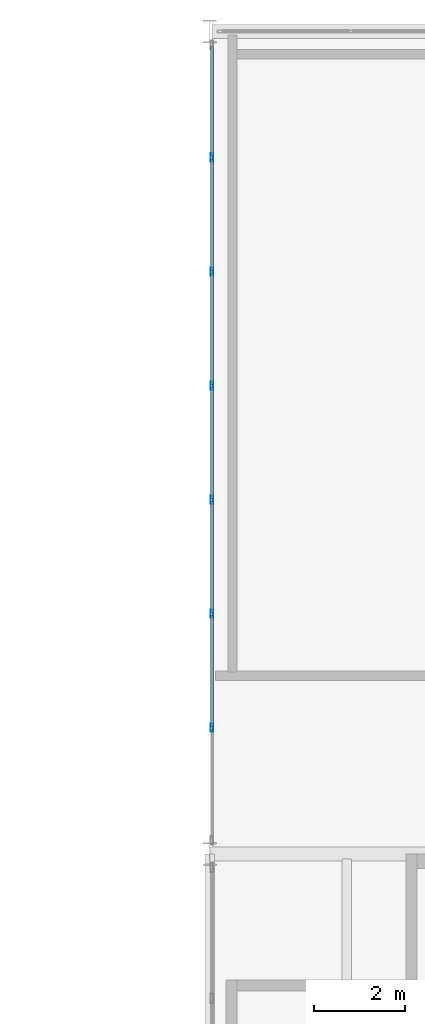
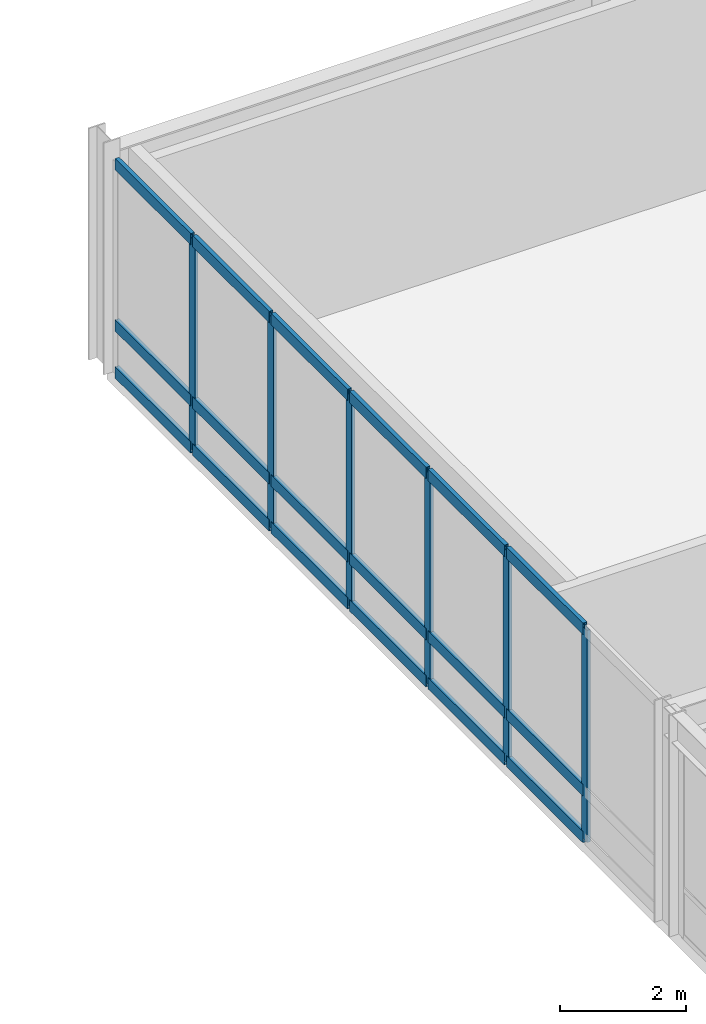
# One storey, part 24 of 67: 24 members, 1 element without a shape of its own.
"""IFC4 building model written with IfcOpenShell, lengths in metres."""

import ifcopenshell
import ifcopenshell.guid

model = None  # the IFC model being written
_history = None  # IfcOwnerHistory: only IFC2X3 demands one
_inside = {}  # id of a spatial element -> (the spatial element, [elements in it])
_under = {}  # id of a project, library or spatial element -> (it, [spatial elements below it])
_declared = {}  # id of a project -> (the project, [libraries it declares])
_typed = {}  # id of a type object -> (the type object, [elements of that type])
_made_of = {}  # id of a material, layer set ... -> (it, [elements and type objects made of it])


def new_model(schema):
    """Start an empty IFC model of exactly this schema.

    Asked for "IFC4X3", IfcOpenShell would pick the latest addendum, in which some entities
    have other attributes; the version numbers below select the first issue.
    IFC2X3 requires an IfcOwnerHistory on every rooted entity: one is made here for all.
    """
    global model, _history
    if schema == "IFC4X3":
        model = ifcopenshell.file(schema_version=(4, 3, 0, 0))
    else:
        model = ifcopenshell.file(schema=schema)
    _inside.clear()
    _under.clear()
    _declared.clear()
    _typed.clear()
    _made_of.clear()
    _history = None
    if model.schema == "IFC2X3":
        org = make("IfcOrganization", Name="unknown")
        user = make(
            "IfcPersonAndOrganization",
            ThePerson=make("IfcPerson", FamilyName="unknown"),
            TheOrganization=org,
        )
        app = make(
            "IfcApplication",
            ApplicationDeveloper=org,
            Version="unknown",
            ApplicationFullName="unknown",
            ApplicationIdentifier="unknown",
        )
        _history = make(
            "IfcOwnerHistory",
            OwningUser=user,
            OwningApplication=app,
            ChangeAction="ADDED",
            CreationDate=0,
        )
    return model


def make(cls, **values):
    """One entity of the class cls with the attributes given. An attribute that is None is left unset."""
    return model.create_entity(
        cls, **{name: value for name, value in values.items() if value is not None}
    )


def rooted(cls, **values):
    """An entity with a GlobalId (a new one), such as an element, a storey or a relation."""
    return make(cls, GlobalId=ifcopenshell.guid.new(), OwnerHistory=_history, **values)


def si_unit(unit_type, name, prefix=None):
    """IfcSIUnit, for example si_unit("LENGTHUNIT", "METRE", prefix="MILLI")."""
    return make("IfcSIUnit", UnitType=unit_type, Prefix=prefix, Name=name)


def assignment(units):
    """IfcUnitAssignment: the units of a project."""
    return None if units is None else make("IfcUnitAssignment", Units=units)


def point(xyz):
    """IfcCartesianPoint."""
    return None if xyz is None else make("IfcCartesianPoint", Coordinates=xyz)


def direction(xyz):
    """IfcDirection."""
    return None if xyz is None else make("IfcDirection", DirectionRatios=xyz)


def frame(location, z_axis=None, x_axis=None):
    """IfcAxis2Placement3D, a coordinate frame: its origin and axes. An axis left out is left unset."""
    return make(
        "IfcAxis2Placement3D",
        Location=point(location),
        Axis=direction(z_axis),
        RefDirection=direction(x_axis),
    )


def frame_2d(location, x_axis=None):
    """IfcAxis2Placement2D, a coordinate frame in the plane: its origin and x axis."""
    return make(
        "IfcAxis2Placement2D", Location=point(location), RefDirection=direction(x_axis)
    )


def origin():
    """The frame at (0, 0, 0) with its axes left unset."""
    return frame((0.0, 0.0, 0.0))


def origin_2d():
    """The frame at (0, 0) in the plane with its x axis left unset."""
    return frame_2d((0.0, 0.0))


def place(relative_to, where):
    """IfcLocalPlacement: puts the frame where relative to a parent placement (None: the world)."""
    return make(
        "IfcLocalPlacement", PlacementRelTo=relative_to, RelativePlacement=where
    )


def context(
    kind, dimensions, precision=None, world=None, true_north=None, identifier=None
):
    """IfcGeometricRepresentationContext, for example the 3D "Model" context."""
    return make(
        "IfcGeometricRepresentationContext",
        ContextIdentifier=identifier,
        ContextType=kind,
        CoordinateSpaceDimension=dimensions,
        Precision=precision,
        WorldCoordinateSystem=world,
        TrueNorth=true_north,
    )


def subcontext(parent, identifier, kind, view, scale=None):
    """IfcGeometricRepresentationSubContext, for example "Body" below "Model"."""
    return make(
        "IfcGeometricRepresentationSubContext",
        ContextIdentifier=identifier,
        ContextType=kind,
        ParentContext=parent,
        TargetScale=scale,
        TargetView=view,
    )


def project(units=None, contexts=None):
    """IfcProject with its units and contexts."""
    return rooted(
        "IfcProject",
        Name="project",
        RepresentationContexts=contexts,
        UnitsInContext=assignment(units),
    )


def spatial(cls, under=None, at=None, **own):
    """A site, building, storey or space (cls), placed at a placement, below another one or the project."""
    s = rooted(cls, ObjectPlacement=at, **own)
    if under is not None:
        _under.setdefault(under.id(), (under, []))[1].append(s)
    return s


def profile(cls, at=None, kind="AREA", **sizes):
    """A parametric profile (cls). Its sizes go by their IFC names, for example OverallWidth=200.0."""
    return make(cls, ProfileType=kind, Position=at, **sizes)


def hollow_rectangle(**sizes):
    """IfcRectangleHollowProfileDef."""
    return profile("IfcRectangleHollowProfileDef", **sizes)


def extrude(swept, where, along, depth):
    """IfcExtrudedAreaSolid: the profile swept, set in the frame where, extruded along a direction by depth."""
    return make(
        "IfcExtrudedAreaSolid",
        SweptArea=swept,
        Position=where,
        ExtrudedDirection=direction(along),
        Depth=depth,
    )


def shape(context_of_items, identifier, shape_type, items):
    """IfcShapeRepresentation: the items that make up one representation, for example the "Body"."""
    return make(
        "IfcShapeRepresentation",
        ContextOfItems=context_of_items,
        RepresentationIdentifier=identifier,
        RepresentationType=shape_type,
        Items=items,
    )


def material(Name=None, Category=None):
    """IfcMaterial."""
    return make("IfcMaterial", Name=Name, Category=Category)


def layer(
    of_material, thickness, ventilated=None, Name=None, Category=None, Priority=None
):
    """IfcMaterialLayer: one layer of a wall or slab, of a material (None: an air gap)."""
    return make(
        "IfcMaterialLayer",
        Material=of_material,
        LayerThickness=thickness,
        IsVentilated=ventilated,
        Name=Name,
        Category=Category,
        Priority=Priority,
    )


def layer_set(layers, Name=None):
    """IfcMaterialLayerSet."""
    return make("IfcMaterialLayerSet", MaterialLayers=layers, LayerSetName=Name)


def material_profile(
    of_material, cross_section, Name=None, Category=None, Priority=None
):
    """IfcMaterialProfile: a cross section and its material."""
    return make(
        "IfcMaterialProfile",
        Name=Name,
        Material=of_material,
        Profile=cross_section,
        Priority=Priority,
        Category=Category,
    )


def profile_set(profiles, Name=None, composite=None):
    """IfcMaterialProfileSet."""
    return make(
        "IfcMaterialProfileSet",
        Name=Name,
        MaterialProfiles=profiles,
        CompositeProfile=composite,
    )


def made_of(thing, what):
    """Note that an element or type object is made of a material, layer set ...; save() writes the relation."""
    if what is not None:
        _made_of.setdefault(what.id(), (what, []))[1].append(thing)
    return thing


def type_object(cls, material=None, **own):
    """A type object (cls), such as IfcWallType, which elements share."""
    return made_of(rooted(cls, **own), material)


def element(
    cls,
    number,
    at=None,
    inside=None,
    cuts=None,
    type_object=None,
    material=None,
    context=None,
    identifier="Body",
    shape_type=None,
    held_by="IfcProductDefinitionShape",
    body=None,
    shapes=None,
    **own,
):
    """One element of the class cls, such as IfcWall. Its Tag is "e" and its number.

    at: its placement. inside: the storey or other place that contains it. cuts: it is an
    opening in that element (IfcRelVoidsElement). A single representation is given by context,
    identifier, shape_type and body (its items); several are given by shapes. held_by: the class
    of the entity that holds the representations. save() writes the other relations.
    """
    e = rooted(cls, Tag="e%d" % number, ObjectPlacement=at, **own)
    if body is not None:
        shapes = [shape(context, identifier, shape_type, body)]
    if shapes is not None:
        e.Representation = make(held_by, Representations=shapes)
    if inside is not None:
        _inside.setdefault(inside.id(), (inside, []))[1].append(e)
    if cuts is not None:
        rooted(
            "IfcRelVoidsElement", RelatingBuildingElement=cuts, RelatedOpeningElement=e
        )
    if type_object is not None:
        _typed.setdefault(type_object.id(), (type_object, []))[1].append(e)
    return made_of(e, material)


def aggregate(whole, parts):
    """IfcRelAggregates: a whole, such as a stair, and the parts it consists of."""
    return rooted("IfcRelAggregates", RelatingObject=whole, RelatedObjects=parts)


def save(model, path):
    """Write the relations noted so far, then the file.

    IfcRelAggregates (storeys below a building ...), IfcRelContainedInSpatialStructure (elements
    in a storey), IfcRelDefinesByType, IfcRelAssociatesMaterial and IfcRelDeclares: one each for
    every whole, place, type object, material and project.
    """
    for whole, parts in _under.values():
        aggregate(whole, parts)
    for where, things in _inside.values():
        rooted(
            "IfcRelContainedInSpatialStructure",
            RelatedElements=things,
            RelatingStructure=where,
        )
    for kind, things in _typed.values():
        rooted("IfcRelDefinesByType", RelatedObjects=things, RelatingType=kind)
    for what, things in _made_of.values():
        rooted("IfcRelAssociatesMaterial", RelatedObjects=things, RelatingMaterial=what)
    for by, libraries in _declared.values():
        rooted("IfcRelDeclares", RelatingContext=by, RelatedDefinitions=libraries)
    model.write(path)


model = new_model("IFC4")

# Units and contexts
model_context = context("Model", 3, precision=1e-05, world=origin(), true_north=direction((0.0, 1.0)))
body_context = subcontext(model_context, "Body", "Model", "MODEL_VIEW")
ifc_project = project(units=[si_unit("LENGTHUNIT", "METRE"), si_unit("AREAUNIT", "SQUARE_METRE"), si_unit("VOLUMEUNIT", "CUBIC_METRE"), si_unit("PLANEANGLEUNIT", "RADIAN"), si_unit("MASSUNIT", "GRAM", prefix="KILO")], contexts=[model_context])

# Site, building, storey
site_placement = place(None, origin())
site = spatial("IfcSite", under=ifc_project, at=site_placement, CompositionType="ELEMENT")
building_placement = place(site_placement, origin())
building = spatial("IfcBuilding", under=site, at=building_placement, Name="Montelvaro Courts of Justice", CompositionType="ELEMENT")
storey_placement = place(building_placement, frame((0.0, 0.0, 18.89990234375)))
storey = spatial("IfcBuildingStorey", under=building, at=storey_placement, Name="L04", CompositionType="ELEMENT", Elevation=18.89990234375)

# Curtain wall, members
ifc_material = material(Name="Anodised aluminium EN AW-6063", Category="aluminium")
ifc_layer = layer(ifc_material, 0.159912109375)
ifc_layer_set = layer_set([ifc_layer], Name="Anodised aluminium EN AW-6063")
curtain_wall_type = type_object("IfcCurtainWallType", Name="CurtainWall_33_1747x418", PredefinedType="USERDEFINED", material=ifc_layer_set)
curtain_wall_placement = place(storey_placement, origin())
curtain_wall = element("IfcCurtainWall", 1, at=curtain_wall_placement, inside=storey, type_object=curtain_wall_type, Name="Curtain Wall CW-33 (L04)", ObjectType="CURTAIN WALL", PredefinedType="USERDEFINED")
ifc_material_profile_1 = material_profile(ifc_material, hollow_rectangle(XDim=0.06005859375, YDim=0.179931640625, WallThickness=0.00439453125, at=origin_2d()), Name="ALU-M 60x180")
ifc_profile_set_1 = profile_set([ifc_material_profile_1], Name="Anodised aluminium EN AW-6063")
member_type_1 = type_object("IfcMemberType", Name="CurtainWall_Mullion_60x180", PredefinedType="MULLION", material=ifc_profile_set_1)
member_1_placement = place(storey_placement, frame((99.050048828125, 93.2392578125, 0.0), z_axis=(0.0, 0.0, 1.0), x_axis=(1.0, 0.0, 0.0)))
member_1 = element("IfcMember", 2, at=member_1_placement, type_object=member_type_1, Name="CW-33 mullion 2", PredefinedType="MULLION", context=body_context, shape_type="SweptSolid", body=[
    extrude(hollow_rectangle(XDim=0.06005859375, YDim=0.179931640625, WallThickness=0.00439453125, at=origin_2d()), origin(), (0.0, 0.0, 1.0), 4.1201171875),
])
member_2_placement = place(storey_placement, frame((99.050048828125, 90.74365234375, 0.0), z_axis=(0.0, 0.0, 1.0), x_axis=(1.0, 0.0, 0.0)))
member_2 = element("IfcMember", 3, at=member_2_placement, type_object=member_type_1, Name="CW-33 mullion 3", PredefinedType="MULLION", context=body_context, shape_type="SweptSolid", body=[
    extrude(hollow_rectangle(XDim=0.06005859375, YDim=0.179931640625, WallThickness=0.00439453125, at=origin_2d()), origin(), (0.0, 0.0, 1.0), 4.1201171875),
])
member_3_placement = place(storey_placement, frame((99.050048828125, 88.247802734375, 0.0), z_axis=(0.0, 0.0, 1.0), x_axis=(1.0, 0.0, 0.0)))
member_3 = element("IfcMember", 4, at=member_3_placement, type_object=member_type_1, Name="CW-33 mullion 4", PredefinedType="MULLION", context=body_context, shape_type="SweptSolid", body=[
    extrude(hollow_rectangle(XDim=0.06005859375, YDim=0.179931640625, WallThickness=0.00439453125, at=origin_2d()), origin(), (0.0, 0.0, 1.0), 4.1201171875),
])
member_4_placement = place(storey_placement, frame((99.050048828125, 85.752197265625, 0.0), z_axis=(0.0, 0.0, 1.0), x_axis=(1.0, 0.0, 0.0)))
member_4 = element("IfcMember", 5, at=member_4_placement, type_object=member_type_1, Name="CW-33 mullion 5", PredefinedType="MULLION", context=body_context, shape_type="SweptSolid", body=[
    extrude(hollow_rectangle(XDim=0.06005859375, YDim=0.179931640625, WallThickness=0.00439453125, at=origin_2d()), origin(), (0.0, 0.0, 1.0), 4.1201171875),
])
member_5_placement = place(storey_placement, frame((99.050048828125, 83.25634765625, 0.0), z_axis=(0.0, 0.0, 1.0), x_axis=(1.0, 0.0, 0.0)))
member_5 = element("IfcMember", 6, at=member_5_placement, type_object=member_type_1, Name="CW-33 mullion 6", PredefinedType="MULLION", context=body_context, shape_type="SweptSolid", body=[
    extrude(hollow_rectangle(XDim=0.06005859375, YDim=0.179931640625, WallThickness=0.00439453125, at=origin_2d()), origin(), (0.0, 0.0, 1.0), 4.1201171875),
])
member_6_placement = place(storey_placement, frame((99.050048828125, 80.7607421875, 0.0), z_axis=(0.0, 0.0, 1.0), x_axis=(1.0, 0.0, 0.0)))
member_6 = element("IfcMember", 7, at=member_6_placement, type_object=member_type_1, Name="CW-33 mullion 7", PredefinedType="MULLION", context=body_context, shape_type="SweptSolid", body=[
    extrude(hollow_rectangle(XDim=0.06005859375, YDim=0.179931640625, WallThickness=0.00439453125, at=origin_2d()), origin(), (0.0, 0.0, 1.0), 4.1201171875),
])
ifc_material_profile_2 = material_profile(ifc_material, hollow_rectangle(XDim=0.074951171875, YDim=0.219970703125, WallThickness=0.005615234375, at=origin_2d()), Name="ALU-T 75x220")
ifc_profile_set_2 = profile_set([ifc_material_profile_2], Name="Anodised aluminium EN AW-6063")
member_type_2 = type_object("IfcMemberType", Name="CurtainWall_Transom_75x220", PredefinedType="USERDEFINED", material=ifc_profile_set_2)
member_7_placement = place(storey_placement, frame((99.050048828125, 95.675048828125, 0.03759765625), z_axis=(0.0, -1.0, 0.0), x_axis=(1.0, 0.0, 0.0)))
member_7 = element("IfcMember", 8, at=member_7_placement, type_object=member_type_2, Name="CW-33 transom 1.1", ObjectType="TRANSOM", PredefinedType="USERDEFINED", context=body_context, shape_type="SweptSolid", body=[
    extrude(hollow_rectangle(XDim=0.074951171875, YDim=0.219970703125, WallThickness=0.005615234375, at=origin_2d()), origin(), (0.0, 0.0, 1.0), 2.40576171875),
])
member_8_placement = place(storey_placement, frame((99.050048828125, 95.675048828125, 0.9501953125), z_axis=(0.0, -1.0, 0.0), x_axis=(1.0, 0.0, 0.0)))
member_8 = element("IfcMember", 9, at=member_8_placement, type_object=member_type_2, Name="CW-33 transom 1.2", ObjectType="TRANSOM", PredefinedType="USERDEFINED", context=body_context, shape_type="SweptSolid", body=[
    extrude(hollow_rectangle(XDim=0.074951171875, YDim=0.219970703125, WallThickness=0.005615234375, at=origin_2d()), origin(), (0.0, 0.0, 1.0), 2.40576171875),
])
member_9_placement = place(storey_placement, frame((99.050048828125, 95.675048828125, 4.08251953125), z_axis=(0.0, -1.0, 0.0), x_axis=(1.0, 0.0, 0.0)))
member_9 = element("IfcMember", 10, at=member_9_placement, type_object=member_type_2, Name="CW-33 transom 1.3", ObjectType="TRANSOM", PredefinedType="USERDEFINED", context=body_context, shape_type="SweptSolid", body=[
    extrude(hollow_rectangle(XDim=0.074951171875, YDim=0.219970703125, WallThickness=0.005615234375, at=origin_2d()), origin(), (0.0, 0.0, 1.0), 2.40576171875),
])
member_10_placement = place(storey_placement, frame((99.050048828125, 93.209228515625, 0.03759765625), z_axis=(0.0, -1.0, 0.0), x_axis=(1.0, 0.0, 0.0)))
member_10 = element("IfcMember", 11, at=member_10_placement, type_object=member_type_2, Name="CW-33 transom 2.1", ObjectType="TRANSOM", PredefinedType="USERDEFINED", context=body_context, shape_type="SweptSolid", body=[
    extrude(hollow_rectangle(XDim=0.074951171875, YDim=0.219970703125, WallThickness=0.005615234375, at=origin_2d()), origin(), (0.0, 0.0, 1.0), 2.435546875),
])
member_11_placement = place(storey_placement, frame((99.050048828125, 93.209228515625, 0.9501953125), z_axis=(0.0, -1.0, 0.0), x_axis=(1.0, 0.0, 0.0)))
member_11 = element("IfcMember", 12, at=member_11_placement, type_object=member_type_2, Name="CW-33 transom 2.2", ObjectType="TRANSOM", PredefinedType="USERDEFINED", context=body_context, shape_type="SweptSolid", body=[
    extrude(hollow_rectangle(XDim=0.074951171875, YDim=0.219970703125, WallThickness=0.005615234375, at=origin_2d()), origin(), (0.0, 0.0, 1.0), 2.435546875),
])
member_12_placement = place(storey_placement, frame((99.050048828125, 93.209228515625, 4.08251953125), z_axis=(0.0, -1.0, 0.0), x_axis=(1.0, 0.0, 0.0)))
member_12 = element("IfcMember", 13, at=member_12_placement, type_object=member_type_2, Name="CW-33 transom 2.3", ObjectType="TRANSOM", PredefinedType="USERDEFINED", context=body_context, shape_type="SweptSolid", body=[
    extrude(hollow_rectangle(XDim=0.074951171875, YDim=0.219970703125, WallThickness=0.005615234375, at=origin_2d()), origin(), (0.0, 0.0, 1.0), 2.435546875),
])
member_13_placement = place(storey_placement, frame((99.050048828125, 90.713623046875, 0.03759765625), z_axis=(0.0, -1.0, 0.0), x_axis=(1.0, 0.0, 0.0)))
member_13 = element("IfcMember", 14, at=member_13_placement, type_object=member_type_2, Name="CW-33 transom 3.1", ObjectType="TRANSOM", PredefinedType="USERDEFINED", context=body_context, shape_type="SweptSolid", body=[
    extrude(hollow_rectangle(XDim=0.074951171875, YDim=0.219970703125, WallThickness=0.005615234375, at=origin_2d()), origin(), (0.0, 0.0, 1.0), 2.435791015625),
])
member_14_placement = place(storey_placement, frame((99.050048828125, 90.713623046875, 0.9501953125), z_axis=(0.0, -1.0, 0.0), x_axis=(1.0, 0.0, 0.0)))
member_14 = element("IfcMember", 15, at=member_14_placement, type_object=member_type_2, Name="CW-33 transom 3.2", ObjectType="TRANSOM", PredefinedType="USERDEFINED", context=body_context, shape_type="SweptSolid", body=[
    extrude(hollow_rectangle(XDim=0.074951171875, YDim=0.219970703125, WallThickness=0.005615234375, at=origin_2d()), origin(), (0.0, 0.0, 1.0), 2.435791015625),
])
member_15_placement = place(storey_placement, frame((99.050048828125, 90.713623046875, 4.08251953125), z_axis=(0.0, -1.0, 0.0), x_axis=(1.0, 0.0, 0.0)))
member_15 = element("IfcMember", 16, at=member_15_placement, type_object=member_type_2, Name="CW-33 transom 3.3", ObjectType="TRANSOM", PredefinedType="USERDEFINED", context=body_context, shape_type="SweptSolid", body=[
    extrude(hollow_rectangle(XDim=0.074951171875, YDim=0.219970703125, WallThickness=0.005615234375, at=origin_2d()), origin(), (0.0, 0.0, 1.0), 2.435791015625),
])
member_16_placement = place(storey_placement, frame((99.050048828125, 88.2177734375, 0.03759765625), z_axis=(0.0, -1.0, 0.0), x_axis=(1.0, 0.0, 0.0)))
member_16 = element("IfcMember", 17, at=member_16_placement, type_object=member_type_2, Name="CW-33 transom 4.1", ObjectType="TRANSOM", PredefinedType="USERDEFINED", context=body_context, shape_type="SweptSolid", body=[
    extrude(hollow_rectangle(XDim=0.074951171875, YDim=0.219970703125, WallThickness=0.005615234375, at=origin_2d()), origin(), (0.0, 0.0, 1.0), 2.435546875),
])
member_17_placement = place(storey_placement, frame((99.050048828125, 88.2177734375, 0.9501953125), z_axis=(0.0, -1.0, 0.0), x_axis=(1.0, 0.0, 0.0)))
member_17 = element("IfcMember", 18, at=member_17_placement, type_object=member_type_2, Name="CW-33 transom 4.2", ObjectType="TRANSOM", PredefinedType="USERDEFINED", context=body_context, shape_type="SweptSolid", body=[
    extrude(hollow_rectangle(XDim=0.074951171875, YDim=0.219970703125, WallThickness=0.005615234375, at=origin_2d()), origin(), (0.0, 0.0, 1.0), 2.435546875),
])
member_18_placement = place(storey_placement, frame((99.050048828125, 88.2177734375, 4.08251953125), z_axis=(0.0, -1.0, 0.0), x_axis=(1.0, 0.0, 0.0)))
member_18 = element("IfcMember", 19, at=member_18_placement, type_object=member_type_2, Name="CW-33 transom 4.3", ObjectType="TRANSOM", PredefinedType="USERDEFINED", context=body_context, shape_type="SweptSolid", body=[
    extrude(hollow_rectangle(XDim=0.074951171875, YDim=0.219970703125, WallThickness=0.005615234375, at=origin_2d()), origin(), (0.0, 0.0, 1.0), 2.435546875),
])
member_19_placement = place(storey_placement, frame((99.050048828125, 85.72216796875, 0.03759765625), z_axis=(0.0, -1.0, 0.0), x_axis=(1.0, 0.0, 0.0)))
member_19 = element("IfcMember", 20, at=member_19_placement, type_object=member_type_2, Name="CW-33 transom 5.1", ObjectType="TRANSOM", PredefinedType="USERDEFINED", context=body_context, shape_type="SweptSolid", body=[
    extrude(hollow_rectangle(XDim=0.074951171875, YDim=0.219970703125, WallThickness=0.005615234375, at=origin_2d()), origin(), (0.0, 0.0, 1.0), 2.435791015625),
])
member_20_placement = place(storey_placement, frame((99.050048828125, 85.72216796875, 0.9501953125), z_axis=(0.0, -1.0, 0.0), x_axis=(1.0, 0.0, 0.0)))
member_20 = element("IfcMember", 21, at=member_20_placement, type_object=member_type_2, Name="CW-33 transom 5.2", ObjectType="TRANSOM", PredefinedType="USERDEFINED", context=body_context, shape_type="SweptSolid", body=[
    extrude(hollow_rectangle(XDim=0.074951171875, YDim=0.219970703125, WallThickness=0.005615234375, at=origin_2d()), origin(), (0.0, 0.0, 1.0), 2.435791015625),
])
member_21_placement = place(storey_placement, frame((99.050048828125, 85.72216796875, 4.08251953125), z_axis=(0.0, -1.0, 0.0), x_axis=(1.0, 0.0, 0.0)))
member_21 = element("IfcMember", 22, at=member_21_placement, type_object=member_type_2, Name="CW-33 transom 5.3", ObjectType="TRANSOM", PredefinedType="USERDEFINED", context=body_context, shape_type="SweptSolid", body=[
    extrude(hollow_rectangle(XDim=0.074951171875, YDim=0.219970703125, WallThickness=0.005615234375, at=origin_2d()), origin(), (0.0, 0.0, 1.0), 2.435791015625),
])
member_22_placement = place(storey_placement, frame((99.050048828125, 83.226318359375, 0.03759765625), z_axis=(0.0, -1.0, 0.0), x_axis=(1.0, 0.0, 0.0)))
member_22 = element("IfcMember", 23, at=member_22_placement, type_object=member_type_2, Name="CW-33 transom 6.1", ObjectType="TRANSOM", PredefinedType="USERDEFINED", context=body_context, shape_type="SweptSolid", body=[
    extrude(hollow_rectangle(XDim=0.074951171875, YDim=0.219970703125, WallThickness=0.005615234375, at=origin_2d()), origin(), (0.0, 0.0, 1.0), 2.435546875),
])
member_23_placement = place(storey_placement, frame((99.050048828125, 83.226318359375, 0.9501953125), z_axis=(0.0, -1.0, 0.0), x_axis=(1.0, 0.0, 0.0)))
member_23 = element("IfcMember", 24, at=member_23_placement, type_object=member_type_2, Name="CW-33 transom 6.2", ObjectType="TRANSOM", PredefinedType="USERDEFINED", context=body_context, shape_type="SweptSolid", body=[
    extrude(hollow_rectangle(XDim=0.074951171875, YDim=0.219970703125, WallThickness=0.005615234375, at=origin_2d()), origin(), (0.0, 0.0, 1.0), 2.435546875),
])
member_24_placement = place(storey_placement, frame((99.050048828125, 83.226318359375, 4.08251953125), z_axis=(0.0, -1.0, 0.0), x_axis=(1.0, 0.0, 0.0)))
member_24 = element("IfcMember", 25, at=member_24_placement, type_object=member_type_2, Name="CW-33 transom 6.3", ObjectType="TRANSOM", PredefinedType="USERDEFINED", context=body_context, shape_type="SweptSolid", body=[
    extrude(hollow_rectangle(XDim=0.074951171875, YDim=0.219970703125, WallThickness=0.005615234375, at=origin_2d()), origin(), (0.0, 0.0, 1.0), 2.435546875),
])
aggregate(curtain_wall, [member_1, member_2, member_3, member_4, member_5, member_6, member_7, member_8, member_9, member_10, member_11, member_12, member_13, member_14, member_15, member_16, member_17, member_18, member_19, member_20, member_21, member_22, member_23, member_24])

save(model, "model.ifc")
